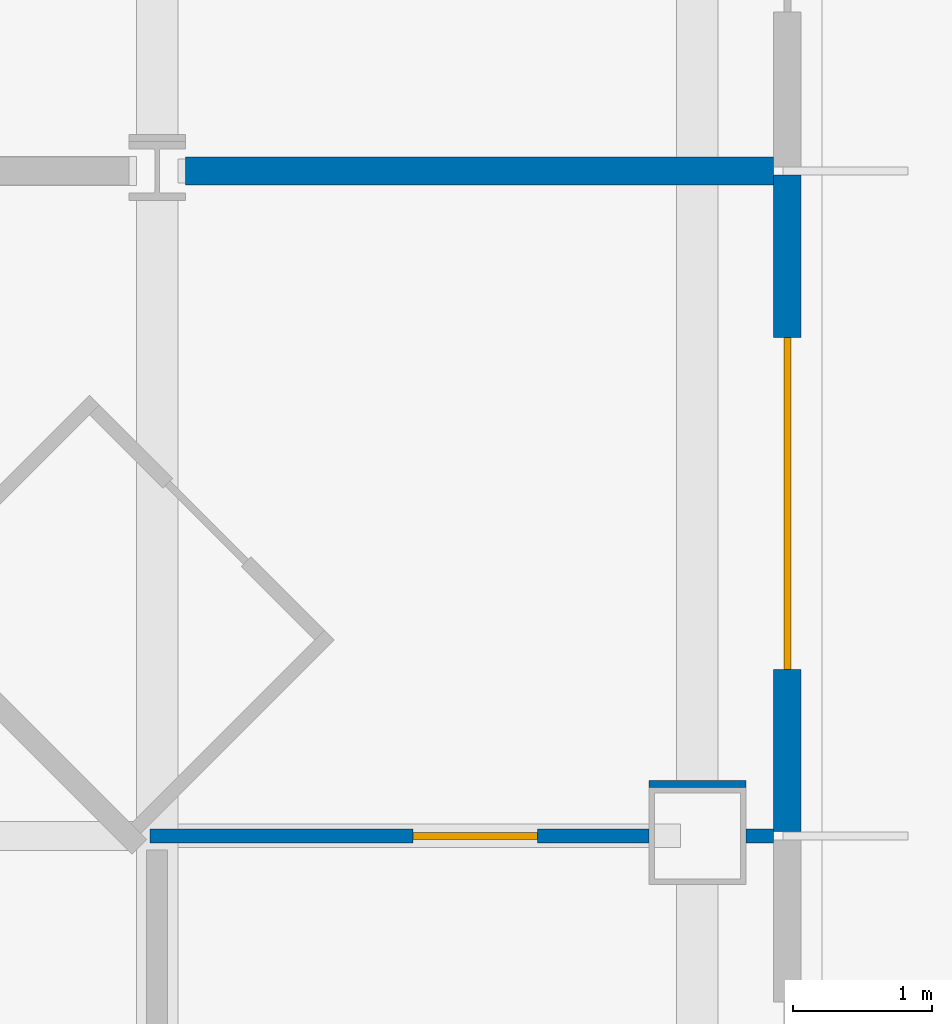
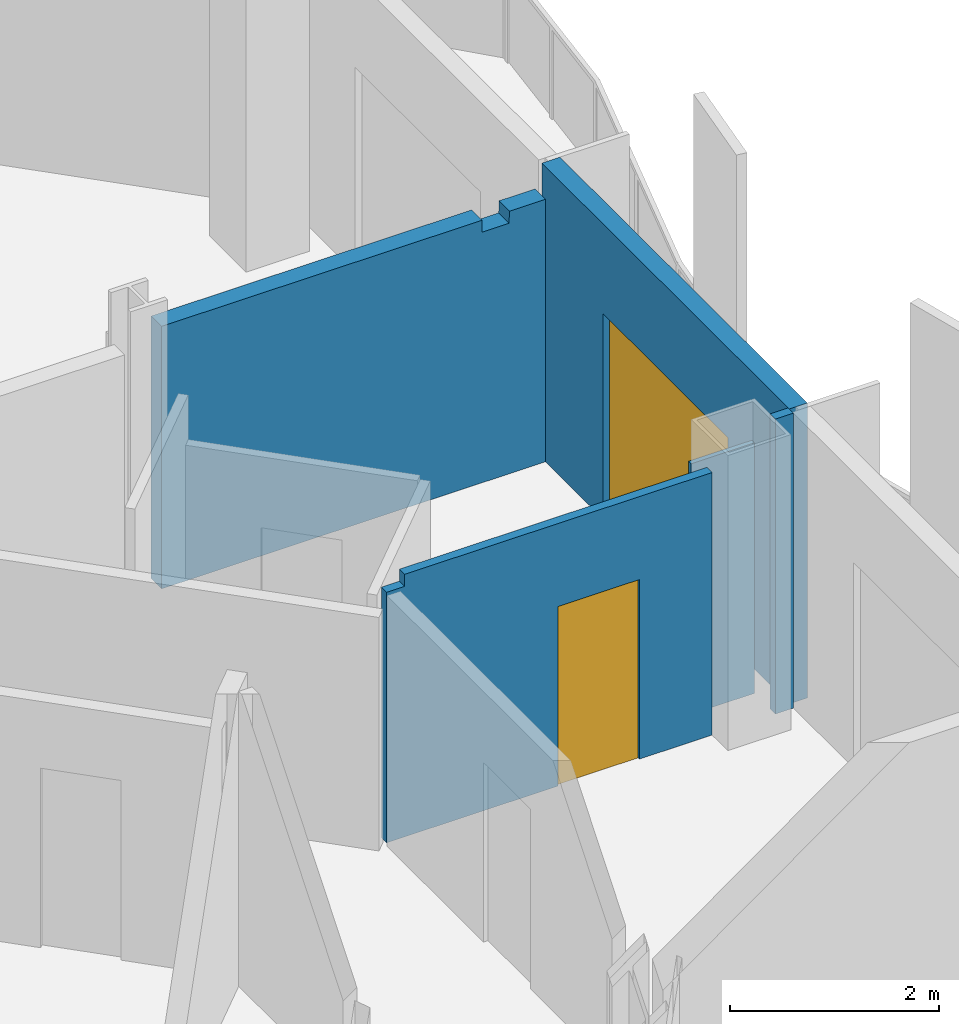
# One storey, part 11 of 21: 5 walls, 2 doors, 2 openings.
"""IFC4 building model written with IfcOpenShell, lengths in metres."""

from ifc_helpers import new_model, si_unit, direction, frame, frame_2d, origin, place, context, subcontext, project, spatial, polyline, rectangle, outline, extrude, material, layer, layer_set, type_object, element, fill, save


model = new_model("IFC4")

# Units and contexts
model_context = context("Model", 3, precision=1e-05, world=origin(), true_north=direction((0.0, 1.0)))
body_context = subcontext(model_context, "Body", "Model", "MODEL_VIEW")
ifc_project = project(units=[si_unit("LENGTHUNIT", "METRE"), si_unit("AREAUNIT", "SQUARE_METRE"), si_unit("VOLUMEUNIT", "CUBIC_METRE"), si_unit("PLANEANGLEUNIT", "RADIAN"), si_unit("MASSUNIT", "GRAM", prefix="KILO")], contexts=[model_context])

# Site, building, storey
site_placement = place(None, origin())
site = spatial("IfcSite", under=ifc_project, at=site_placement, CompositionType="ELEMENT")
building_placement = place(site_placement, origin())
building = spatial("IfcBuilding", under=site, at=building_placement, Name="Cairn Pilgrim Tower", CompositionType="ELEMENT")
storey_placement = place(building_placement, frame((0.0, 0.0, 129.0)))
storey = spatial("IfcBuildingStorey", under=building, at=storey_placement, Name="L31", CompositionType="ELEMENT", Elevation=129.0)

# Wall, opening, door
ifc_material_1 = material(Name="Bronze anodised aluminium insulated sandwich panel with mineral wool fill", Category="aluminium")
ifc_layer_1 = layer(ifc_material_1, 0.199951171875)
ifc_layer_set_1 = layer_set([ifc_layer_1], Name="BRONZE INFILL FRAME WALL 200")
wall_type_1 = type_object("IfcWallType", Name="BRONZE INFILL FRAME WALL 200", PredefinedType="NOTDEFINED", material=ifc_layer_set_1)
wall_1_placement = place(storey_placement, frame((35.75, 4.830078125, 0.0), z_axis=(0.0, 0.0, 1.0), x_axis=(0.0, 1.0, 0.0)))
wall_1 = element("IfcWall", 1, at=wall_1_placement, inside=storey, type_object=wall_type_1, Name="Bronze infill frame wall IW-E3", PredefinedType="NOTDEFINED", context=body_context, shape_type="SweptSolid", body=[
    extrude(rectangle(XDim=4.739990234375, YDim=0.199951171875, at=frame_2d((2.3701171875, 0.0))), origin(), (0.0, 0.0, 1.0), 3.449951171875),
])
opening_1_placement = place(wall_1_placement, frame((1.169921875, 0.0, 0.0)))
opening_1 = element("IfcOpeningElement", 2, at=opening_1_placement, cuts=wall_1, Name="Opening 3105SB", PredefinedType="OPENING", context=body_context, shape_type="SweptSolid", body=[
    extrude(rectangle(XDim=2.39990234375, YDim=2.39990234375, at=frame_2d((1.199951171875, 1.199951171875))), frame((0.0, 0.10986328125, 0.0), z_axis=(0.0, -1.0, 0.0), x_axis=(1.0, 0.0, 0.0)), (0.0, 0.0, 1.0), 0.219970703125),
])
ifc_material_2 = material(Name="Bronze anodised aluminium frame with tinted low-E glass", Category="aluminium")
door_type_1 = type_object("IfcDoorType", Name="BALCONY SLIDING DOOR 2400x2400", OperationType="DOUBLE_DOOR_SLIDING", PredefinedType="DOOR", material=ifc_material_2)
door_1_placement = place(opening_1_placement, origin())
door_1 = element("IfcDoor", 3, at=door_1_placement, inside=storey, type_object=door_type_1, Name="Balcony sliding door 3105SB", OperationType="SINGLE_SWING_LEFT", OverallHeight=2.39990234375, OverallWidth=2.39990234375, PredefinedType="DOOR", context=body_context, shape_type="SweptSolid", body=[
    extrude(rectangle(XDim=2.39990234375, YDim=2.39990234375, at=frame_2d((1.199951171875, 1.199951171875))), frame((0.0, 0.02490234375, 0.0), z_axis=(0.0, -1.0, 0.0), x_axis=(1.0, 0.0, 0.0)), (0.0, 0.0, 1.0), 0.050048828125),
])
fill(opening_1, door_1)

ifc_material_3 = material(Name="Gypsum partition")
ifc_layer_2 = layer(ifc_material_3, 0.10009765625)
ifc_layer_set_2 = layer_set([ifc_layer_2], Name="PARTITION 100 DRYWALL")
wall_type_2 = type_object("IfcWallType", Name="PARTITION 100 DRYWALL", PredefinedType="PARTITIONING", material=ifc_layer_set_2)
wall_2_placement = place(storey_placement, frame((31.150146484375, 4.800048828125, 0.0), z_axis=(0.0, 0.0, 1.0), x_axis=(1.0, 0.0, 0.0)))
wall_2 = element("IfcWall", 4, at=wall_2_placement, inside=storey, type_object=wall_type_2, Name="PARTITION W053", PredefinedType="PARTITIONING", context=body_context, shape_type="SweptSolid", body=[
    extrude(outline(polyline([(0.0, 0.0), (3.599853515625, 0.0), (3.599853515625, 3.070068359375), (0.199951171875, 3.070068359375), (0.197998046875, 2.929931640625), (0.0, 2.929931640625), (0.0, 0.0)])), frame((0.0, 0.050048828125, 0.0), z_axis=(0.0, -1.0, 0.0), x_axis=(1.0, 0.0, 0.0)), (0.0, 0.0, 1.0), 0.10009765625),
])
opening_2_placement = place(wall_2_placement, frame((1.89697265625, 0.0, 0.0)))
opening_2 = element("IfcOpeningElement", 5, at=opening_2_placement, cuts=wall_2, Name="Opening 3105C", PredefinedType="OPENING", context=body_context, shape_type="SweptSolid", body=[
    extrude(rectangle(XDim=0.89990234375, YDim=2.10009765625, at=frame_2d((0.449951171875, 1.050048828125))), frame((0.0, 0.06005859375, 0.0), z_axis=(0.0, -1.0, 0.0), x_axis=(1.0, 0.0, 0.0)), (0.0, 0.0, 1.0), 0.1201171875),
])
ifc_material_4 = material(Name="Timber door leaf", Category="wood")
door_type_2 = type_object("IfcDoorType", Name="SERVICE DOOR 900x2100", OperationType="NOTDEFINED", PredefinedType="DOOR", material=ifc_material_4)
door_2_placement = place(opening_2_placement, frame((0.89990234375, 0.0, 0.0), z_axis=(0.0, 0.0, 1.0), x_axis=(-1.0, 0.0, 0.0)))
door_2 = element("IfcDoor", 6, at=door_2_placement, inside=storey, type_object=door_type_2, Name="DOOR 3105C", OperationType="SINGLE_SWING_LEFT", OverallHeight=2.10009765625, OverallWidth=0.89990234375, PredefinedType="DOOR", context=body_context, shape_type="SweptSolid", body=[
    extrude(rectangle(XDim=0.89990234375, YDim=2.10009765625, at=frame_2d((0.449951171875, 1.050048828125))), frame((0.0, 0.02490234375, 0.0), z_axis=(0.0, -1.0, 0.0), x_axis=(1.0, 0.0, 0.0)), (0.0, 0.0, 1.0), 0.050048828125),
])
fill(opening_2, door_2)

# Walls
wall_3_placement = place(storey_placement, frame((35.449951171875, 4.800048828125, 0.0), z_axis=(0.0, 0.0, 1.0), x_axis=(1.0, 0.0, 0.0)))
element("IfcWall", 7, at=wall_3_placement, inside=storey, type_object=wall_type_2, Name="PARTITION W054", PredefinedType="PARTITIONING", context=body_context, shape_type="SweptSolid", body=[
    extrude(rectangle(XDim=0.199951171875, YDim=0.10009765625, at=frame_2d((0.10009765625, 0.0))), origin(), (0.0, 0.0, 1.0), 3.449951171875),
])
ifc_layer_3 = layer(ifc_material_3, 0.050048828125)
ifc_layer_set_3 = layer_set([ifc_layer_3], Name="PARTITION 50 DRYWALL")
wall_type_3 = type_object("IfcWallType", Name="PARTITION 50 DRYWALL", PredefinedType="PARTITIONING", material=ifc_layer_set_3)
wall_4_placement = place(storey_placement, frame((34.75, 5.175048828125, 0.0), z_axis=(0.0, 0.0, 1.0), x_axis=(1.0, 0.0, 0.0)))
element("IfcWall", 8, at=wall_4_placement, inside=storey, type_object=wall_type_3, Name="COLUMN CASING WC26", PredefinedType="PARTITIONING", context=body_context, shape_type="SweptSolid", body=[
    extrude(rectangle(XDim=0.699951171875, YDim=0.050048828125, at=frame_2d((0.35009765625, 0.0))), origin(), (0.0, 0.0, 1.0), 2.929931640625),
])
ifc_layer_4 = layer(ifc_material_3, 0.199951171875)
ifc_layer_set_4 = layer_set([ifc_layer_4], Name="SHAFT WALL 200 GYPSUM EI 60")
wall_type_4 = type_object("IfcWallType", Name="SHAFT WALL 200 GYPSUM EI 60", PredefinedType="PARTITIONING", material=ifc_layer_set_4)
wall_5_placement = place(storey_placement, frame((31.404541015625, 9.60009765625, 0.0), z_axis=(0.0, 0.0, 1.0), x_axis=(1.0, 0.0, 0.0)))
element("IfcWall", 9, at=wall_5_placement, inside=storey, type_object=wall_type_4, Name="PARTITION W065", PredefinedType="PARTITIONING", context=body_context, shape_type="SweptSolid", body=[
    extrude(outline(polyline([(0.0, 0.0), (4.245361328125, 0.0), (4.24560546875, 3.070068359375), (3.845458984375, 3.070068359375), (3.843505859375, 2.929931640625), (3.54541015625, 2.929931640625), (3.54345703125, 3.070068359375), (0.0, 3.070068359375), (0.0, 0.0)])), frame((0.0, 0.10009765625, 0.0), z_axis=(0.0, -1.0, 0.0), x_axis=(1.0, 0.0, 0.0)), (0.0, 0.0, 1.0), 0.199951171875),
])

save(model, "model.ifc")
